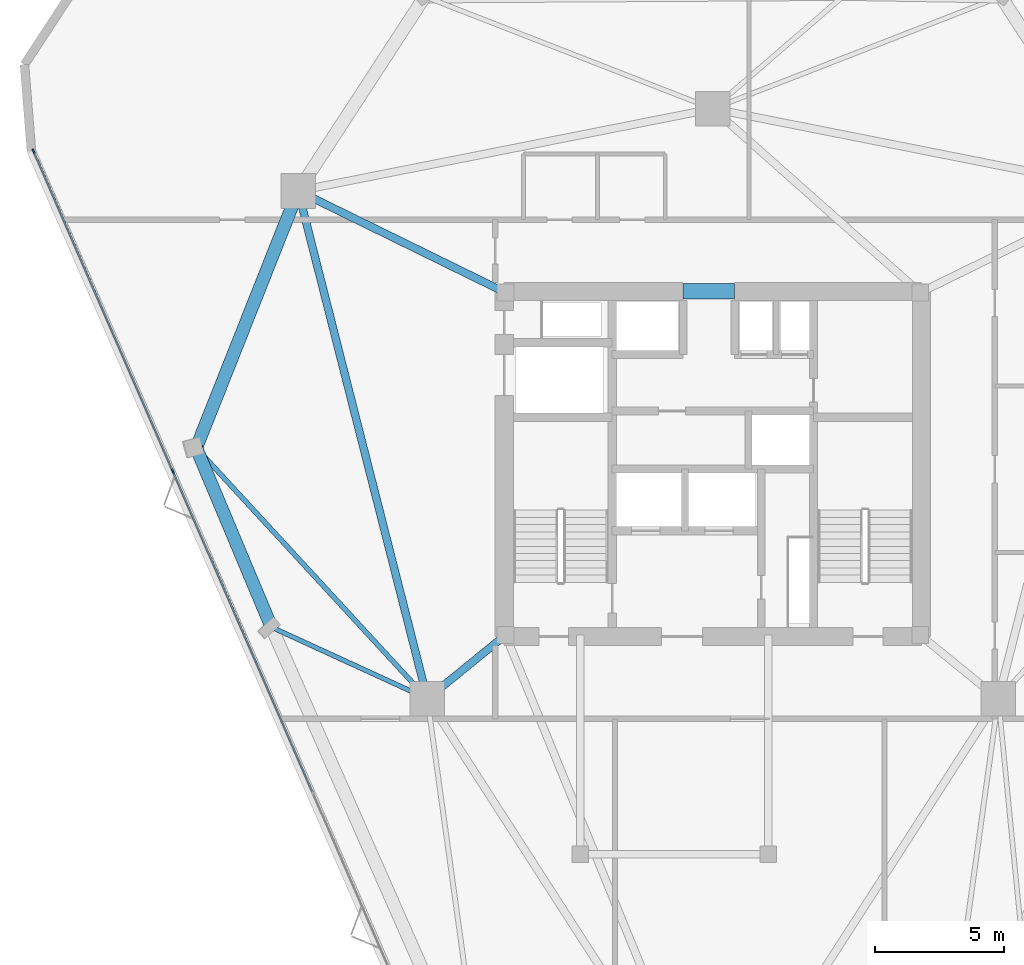
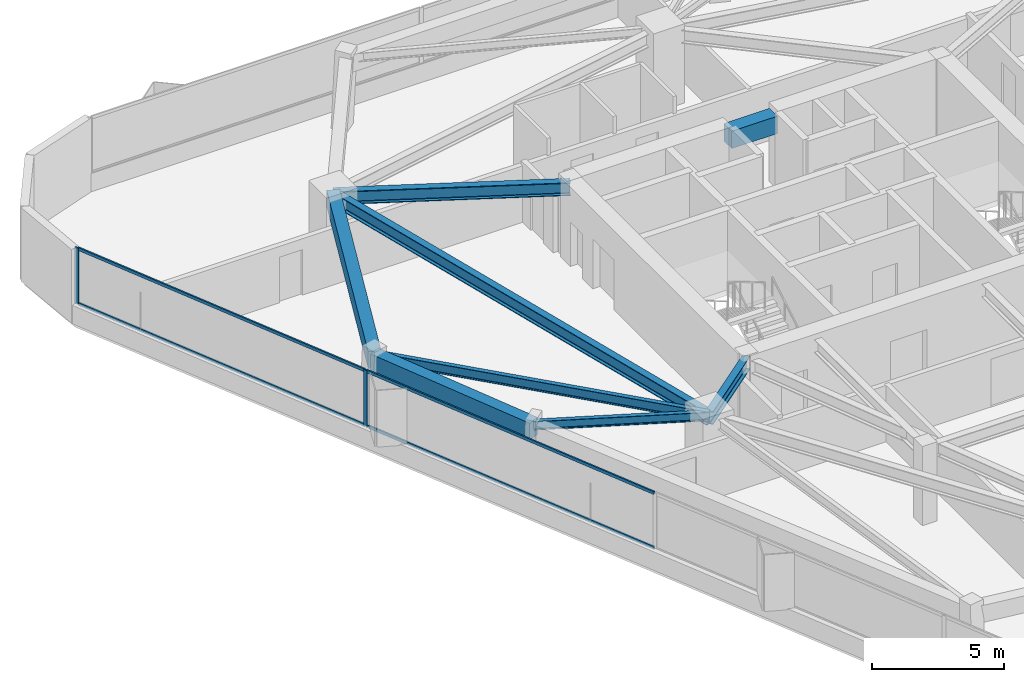
# One storey, part 5 of 12: 8 beams, 6 members, 1 element without a shape of its own.
"""IFC4 building model written with IfcOpenShell, lengths in metres."""

from ifc_helpers import new_model, si_unit, direction, frame, origin, origin_2d, place, context, subcontext, project, spatial, rectangle, i_section, extrude, material, layer, layer_set, material_profile, profile_set, type_object, element, aggregate, save


model = new_model("IFC4")

# Units and contexts
model_context = context("Model", 3, precision=1e-05, world=origin(), true_north=direction((0.0, 1.0)))
body_context = subcontext(model_context, "Body", "Model", "MODEL_VIEW")
ifc_project = project(units=[si_unit("LENGTHUNIT", "METRE"), si_unit("AREAUNIT", "SQUARE_METRE"), si_unit("VOLUMEUNIT", "CUBIC_METRE"), si_unit("PLANEANGLEUNIT", "RADIAN"), si_unit("MASSUNIT", "GRAM", prefix="KILO")], contexts=[model_context])

# Site, building, storey
site_placement = place(None, origin())
site = spatial("IfcSite", under=ifc_project, at=site_placement, CompositionType="ELEMENT")
building_placement = place(site_placement, origin())
building = spatial("IfcBuilding", under=site, at=building_placement, Name="Talyreon Biosciences Tower", CompositionType="ELEMENT")
storey_placement = place(building_placement, frame((0.0, 0.0, 183.050048828125)))
storey = spatial("IfcBuildingStorey", under=building, at=storey_placement, Name="L48", CompositionType="ELEMENT", Elevation=183.050048828125)

# Curtain wall, members
ifc_material_1 = material(Name="Thermally broken aluminium and low-E glazing", Category="aluminium")
ifc_layer = layer(ifc_material_1, 0.179931640625)
ifc_layer_set = layer_set([ifc_layer], Name="Thermally broken aluminium and low-E glazing")
curtain_wall_type = type_object("IfcCurtainWallType", Name="CurtainWall_Zone4Optical", PredefinedType="NOTDEFINED", material=ifc_layer_set)
curtain_wall_placement = place(storey_placement, origin())
curtain_wall = element("IfcCurtainWall", 1, at=curtain_wall_placement, inside=storey, type_object=curtain_wall_type, Name="L48 Unitised Curtain Wall FCW-L48-00", PredefinedType="NOTDEFINED")
ifc_material_2 = material(Name="Anodised thermally broken aluminium", Category="aluminium")
ifc_material_profile_1 = material_profile(ifc_material_2, rectangle(XDim=0.06494140625, YDim=0.179931640625, at=origin_2d()), Name="ALUM MULLION 65x180")
ifc_profile_set_1 = profile_set([ifc_material_profile_1], Name="Anodised thermally broken aluminium")
member_type_1 = type_object("IfcMemberType", Name="CWMullion_65x180", PredefinedType="MULLION", material=ifc_profile_set_1)
member_1_placement = place(storey_placement, frame((45.033447265625, 67.713623046875, 0.81005859375), z_axis=(0.0, 0.0, 1.0), x_axis=(-0.916912184291, -0.399089020519, 0.0)))
member_1 = element("IfcMember", 2, at=member_1_placement, type_object=member_type_1, Name="CW5 mullion 4", PredefinedType="MULLION", context=body_context, shape_type="SweptSolid", body=[
    extrude(rectangle(XDim=0.06494140625, YDim=0.179931640625, at=origin_2d()), origin(), (0.0, 0.0, 1.0), 2.58984375),
])
member_2_placement = place(storey_placement, frame((39.622314453125, 80.145751953125, 0.81005859375), z_axis=(0.0, 0.0, 1.0), x_axis=(-0.916912184291, -0.399089020519, 0.0)))
member_2 = element("IfcMember", 3, at=member_2_placement, type_object=member_type_1, Name="CW5 mullion 5", PredefinedType="MULLION", context=body_context, shape_type="SweptSolid", body=[
    extrude(rectangle(XDim=0.06494140625, YDim=0.179931640625, at=origin_2d()), origin(), (0.0, 0.0, 1.0), 2.58984375),
])
ifc_material_profile_2 = material_profile(ifc_material_2, rectangle(XDim=0.06494140625, YDim=0.139892578125, at=origin_2d()), Name="ALUM TRANSOM 65x140")
ifc_profile_set_2 = profile_set([ifc_material_profile_2], Name="Anodised thermally broken aluminium")
member_type_2 = type_object("IfcMemberType", Name="CWTransom_65x140", PredefinedType="USERDEFINED", material=ifc_profile_set_2)
member_3_placement = place(storey_placement, frame((50.4443359375, 55.28173828125, 0.842529296875), z_axis=(-0.399082487198, 0.916915027913, 0.0), x_axis=(-0.916915027913, -0.399082487198, 0.0)))
member_3 = element("IfcMember", 4, at=member_3_placement, type_object=member_type_2, Name="CW5 transom 3.1", ObjectType="TRANSOM", PredefinedType="USERDEFINED", context=body_context, shape_type="SweptSolid", body=[
    extrude(rectangle(XDim=0.06494140625, YDim=0.139892578125, at=origin_2d()), origin(), (0.0, 0.0, 1.0), 13.52587890625),
])
member_4_placement = place(storey_placement, frame((50.4443359375, 55.28173828125, 3.367431640625), z_axis=(-0.399082487198, 0.916915027913, 0.0), x_axis=(-0.916915027913, -0.399082487198, 0.0)))
member_4 = element("IfcMember", 5, at=member_4_placement, type_object=member_type_2, Name="CW5 transom 3.2", ObjectType="TRANSOM", PredefinedType="USERDEFINED", context=body_context, shape_type="SweptSolid", body=[
    extrude(rectangle(XDim=0.06494140625, YDim=0.139892578125, at=origin_2d()), origin(), (0.0, 0.0, 1.0), 13.52587890625),
])
member_5_placement = place(storey_placement, frame((45.020263671875, 67.743408203125, 0.842529296875), z_axis=(-0.399077385587, 0.916917248345, 0.0), x_axis=(-0.916917248345, -0.399077385587, 0.0)))
member_5 = element("IfcMember", 6, at=member_5_placement, type_object=member_type_2, Name="CW5 transom 4.1", ObjectType="TRANSOM", PredefinedType="USERDEFINED", context=body_context, shape_type="SweptSolid", body=[
    extrude(rectangle(XDim=0.06494140625, YDim=0.139892578125, at=origin_2d()), origin(), (0.0, 0.0, 1.0), 13.49365234375),
])
member_6_placement = place(storey_placement, frame((45.020263671875, 67.743408203125, 3.367431640625), z_axis=(-0.399077385587, 0.916917248345, 0.0), x_axis=(-0.916917248345, -0.399077385587, 0.0)))
member_6 = element("IfcMember", 7, at=member_6_placement, type_object=member_type_2, Name="CW5 transom 4.2", ObjectType="TRANSOM", PredefinedType="USERDEFINED", context=body_context, shape_type="SweptSolid", body=[
    extrude(rectangle(XDim=0.06494140625, YDim=0.139892578125, at=origin_2d()), origin(), (0.0, 0.0, 1.0), 13.49365234375),
])
aggregate(curtain_wall, [member_1, member_2, member_3, member_4, member_5, member_6])

# Beams
ifc_material_3 = material(Name="Concrete C50/60", Category="concrete")
ifc_material_profile_3 = material_profile(ifc_material_3, rectangle(XDim=0.60009765625, YDim=0.800048828125, at=origin_2d()), Name="RCB 600x800")
ifc_profile_set_3 = profile_set([ifc_material_profile_3], Name="Concrete C50/60")
beam_type_1 = type_object("IfcBeamType", Name="CoreCouplingLintel_600x800", PredefinedType="LINTEL", material=ifc_profile_set_3)
beam_1_placement = place(storey_placement, frame((64.85009765625, 74.699951171875, 3.0), z_axis=(1.0, 0.0, 0.0), x_axis=(0.0, 1.0, 0.0)))
element("IfcBeam", 8, at=beam_1_placement, inside=storey, type_object=beam_type_1, Name="L48 Core Coupling Lintel", PredefinedType="LINTEL", context=body_context, shape_type="SweptSolid", body=[
    extrude(rectangle(XDim=0.60009765625, YDim=0.800048828125, at=origin_2d()), origin(), (0.0, 0.0, 1.0), 2.0),
])
ifc_material_4 = material(Name="Precast concrete C45/55", Category="concrete")
ifc_material_profile_4 = material_profile(ifc_material_4, rectangle(XDim=0.5, YDim=0.780029296875, at=origin_2d()), Name="RCB 500x780")
ifc_profile_set_4 = profile_set([ifc_material_profile_4], Name="Precast concrete C45/55")
beam_type_2 = type_object("IfcBeamType", Name="ExpressedSpandrel_500x780", PredefinedType="SPANDREL", material=ifc_profile_set_4)
beam_2_placement = place(storey_placement, frame((49.897705078125, 78.5986328125, 3.010009765625), z_axis=(-0.368593534679, -0.929590665935, 0.0), x_axis=(0.929590665935, -0.368593534679, 0.0)))
element("IfcBeam", 9, at=beam_2_placement, inside=storey, type_object=beam_type_2, Name="L48 Expressed Horizontal Concrete Spandrel 09", PredefinedType="SPANDREL", context=body_context, shape_type="SweptSolid", body=[
    extrude(rectangle(XDim=0.5, YDim=0.780029296875, at=origin_2d()), origin(), (0.0, 0.0, 1.0), 10.736083984375),
])
beam_3_placement = place(storey_placement, frame((45.9404296875, 68.618408203125, 3.010009765625), z_axis=(0.38684470868, -0.922144875476, 0.0), x_axis=(0.922144875476, 0.38684470868, 0.0)))
element("IfcBeam", 10, at=beam_3_placement, inside=storey, type_object=beam_type_2, Name="L48 Expressed Horizontal Concrete Spandrel 10", PredefinedType="SPANDREL", context=body_context, shape_type="SweptSolid", body=[
    extrude(rectangle(XDim=0.5, YDim=0.780029296875, at=origin_2d()), origin(), (0.0, 0.0, 1.0), 7.546875),
])
ifc_material_5 = material(Name="Steel SM355", Category="steel")
ifc_material_profile_5 = material_profile(ifc_material_5, i_section(OverallWidth=0.300048828125, OverallDepth=0.60009765625, WebThickness=0.015380859375, FlangeThickness=0.030029296875, FilletRadius=0.027099609375, at=origin_2d()), Name="HE600B")
ifc_profile_set_5 = profile_set([ifc_material_profile_5], Name="Steel SM355")
beam_type_3 = type_object("IfcBeamType", Name="SteelBeam_HE600B", PredefinedType="BEAM", material=ifc_profile_set_5)
beam_4_placement = place(storey_placement, frame((49.897705078125, 78.5986328125, 3.099853515625), z_axis=(0.246537082299, -0.969133358755, 0.0), x_axis=(0.969133358755, 0.246537082299, 0.0)))
element("IfcBeam", 11, at=beam_4_placement, inside=storey, type_object=beam_type_3, Name="L48 Mega-Ring Girder 5", PredefinedType="BEAM", context=body_context, shape_type="SweptSolid", body=[
    extrude(i_section(OverallWidth=0.300048828125, OverallDepth=0.60009765625, WebThickness=0.015380859375, FlangeThickness=0.030029296875, FilletRadius=0.027099609375, at=origin_2d()), origin(), (0.0, 0.0, 1.0), 20.34619140625),
])
beam_5_placement = place(storey_placement, frame((57.949951171875, 74.64990234375, 3.099853515625), z_axis=(-0.897852360314, 0.440296648952, 0.0), x_axis=(-0.440296648952, -0.897852360314, 0.0)))
element("IfcBeam", 12, at=beam_5_placement, inside=storey, type_object=beam_type_3, Name="L48 Radial Primary Girder 5", PredefinedType="BEAM", context=body_context, shape_type="SweptSolid", body=[
    extrude(i_section(OverallWidth=0.300048828125, OverallDepth=0.60009765625, WebThickness=0.015380859375, FlangeThickness=0.030029296875, FilletRadius=0.027099609375, at=origin_2d()), origin(), (0.0, 0.0, 1.0), 8.96826171875),
])
beam_6_placement = place(storey_placement, frame((57.949951171875, 61.35009765625, 3.099853515625), z_axis=(-0.775755154013, -0.631034025249, 0.0), x_axis=(0.631034025249, -0.775755154013, 0.0)))
element("IfcBeam", 13, at=beam_6_placement, inside=storey, type_object=beam_type_3, Name="L48 Radial Primary Girder 6", PredefinedType="BEAM", context=body_context, shape_type="SweptSolid", body=[
    extrude(i_section(OverallWidth=0.300048828125, OverallDepth=0.60009765625, WebThickness=0.015380859375, FlangeThickness=0.030029296875, FilletRadius=0.027099609375, at=origin_2d()), origin(), (0.0, 0.0, 1.0), 3.913818359375),
])
ifc_material_profile_6 = material_profile(ifc_material_5, i_section(OverallWidth=0.179931640625, OverallDepth=0.39990234375, WebThickness=0.008544921875, FlangeThickness=0.013427734375, FilletRadius=0.02099609375, at=origin_2d()), Name="IPE400")
ifc_profile_set_6 = profile_set([ifc_material_profile_6], Name="Steel SM355")
beam_type_4 = type_object("IfcBeamType", Name="SteelJoist_IPE400", PredefinedType="JOIST", material=ifc_profile_set_6)
beam_7_placement = place(storey_placement, frame((54.913818359375, 58.88037109375, 3.199951171875), z_axis=(-0.908832734852, 0.417160712509, 0.0), x_axis=(-0.417160712509, -0.908832734852, 0.0)))
element("IfcBeam", 14, at=beam_7_placement, inside=storey, type_object=beam_type_4, Name="L48 Radial Composite Floor Joist PL-SW", PredefinedType="JOIST", context=body_context, shape_type="SweptSolid", body=[
    extrude(i_section(OverallWidth=0.179931640625, OverallDepth=0.39990234375, WebThickness=0.008544921875, FlangeThickness=0.013427734375, FilletRadius=0.02099609375, at=origin_2d()), origin(), (0.0, 0.0, 1.0), 6.6611328125),
])
ifc_material_profile_7 = material_profile(ifc_material_5, i_section(OverallWidth=0.18994140625, OverallDepth=0.449951171875, WebThickness=0.009521484375, FlangeThickness=0.0146484375, FilletRadius=0.02099609375, at=origin_2d()), Name="IPE450")
ifc_profile_set_7 = profile_set([ifc_material_profile_7], Name="Steel SM355")
beam_type_5 = type_object("IfcBeamType", Name="SteelJoist_IPE450", PredefinedType="JOIST", material=ifc_profile_set_7)
beam_8_placement = place(storey_placement, frame((54.913818359375, 58.88037109375, 3.175048828125), z_axis=(-0.677645046012, 0.735389142982, 0.0), x_axis=(-0.735389142982, -0.677645046012, 0.0)))
element("IfcBeam", 15, at=beam_8_placement, inside=storey, type_object=beam_type_5, Name="L48 Radial Composite Floor Joist PC-SW1", PredefinedType="JOIST", context=body_context, shape_type="SweptSolid", body=[
    extrude(i_section(OverallWidth=0.18994140625, OverallDepth=0.449951171875, WebThickness=0.009521484375, FlangeThickness=0.0146484375, FilletRadius=0.02099609375, at=origin_2d()), origin(), (0.0, 0.0, 1.0), 13.241943359375),
])

save(model, "model.ifc")
